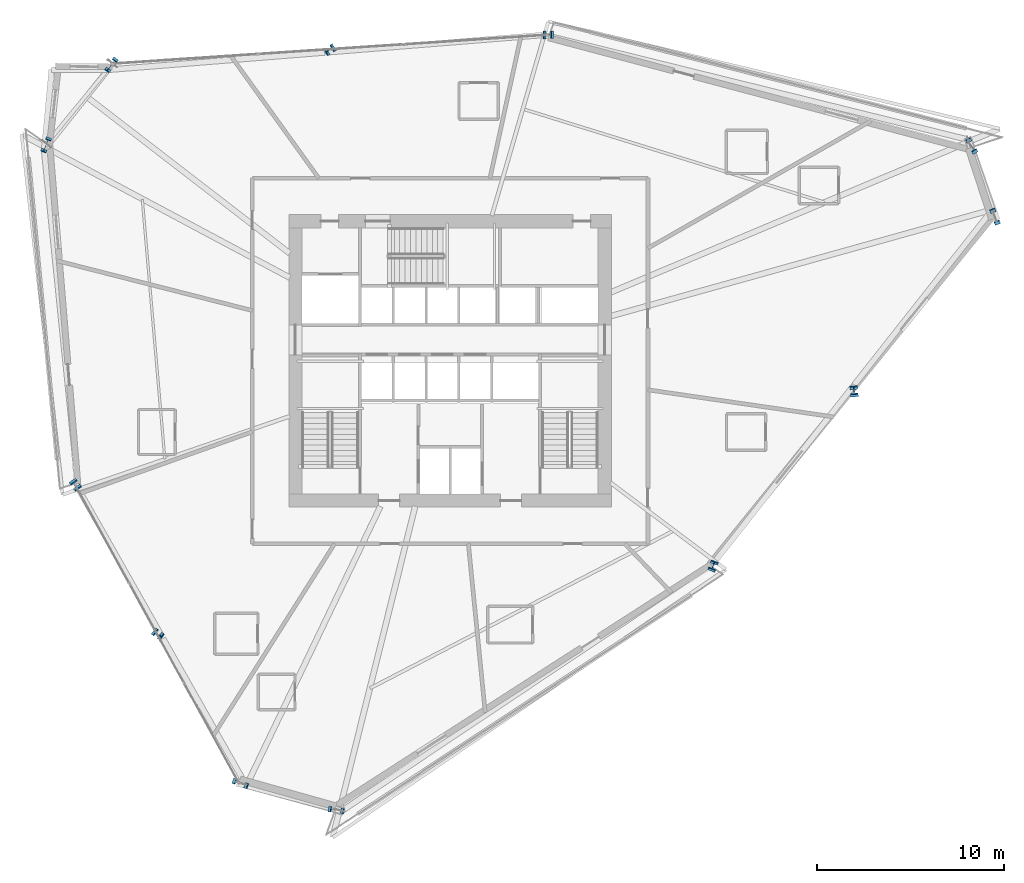
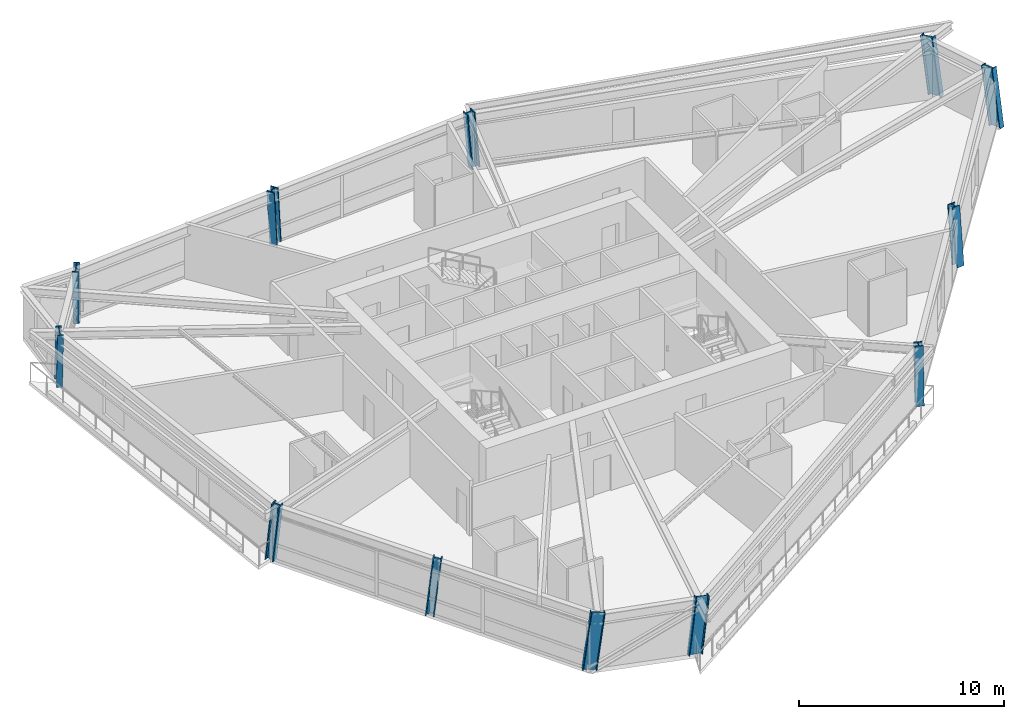
# One storey, part 1 of 21: 12 columns.
"""IFC4 building model written with IfcOpenShell, lengths in metres."""

from ifc_helpers import new_model, si_unit, direction, frame, origin, origin_2d, place, context, subcontext, project, spatial, i_section, extrude, source, transform, mapped, material, material_profile, profile_set, type_object, element, save


model = new_model("IFC4")

# Units and contexts
model_context = context("Model", 3, precision=1e-05, world=origin(), true_north=direction((0.0, 1.0)))
body_context = subcontext(model_context, "Body", "Model", "MODEL_VIEW")
ifc_project = project(units=[si_unit("LENGTHUNIT", "METRE"), si_unit("AREAUNIT", "SQUARE_METRE"), si_unit("VOLUMEUNIT", "CUBIC_METRE"), si_unit("PLANEANGLEUNIT", "RADIAN"), si_unit("MASSUNIT", "GRAM", prefix="KILO")], contexts=[model_context])

# Site, building, storey
site_placement = place(None, origin())
site = spatial("IfcSite", under=ifc_project, at=site_placement, CompositionType="ELEMENT")
building_placement = place(site_placement, origin())
building = spatial("IfcBuilding", under=site, at=building_placement, Name="Olszyna Solenne Hotel", CompositionType="ELEMENT")
storey_placement = place(building_placement, frame((0.0, 0.0, 109.25)))
storey = spatial("IfcBuildingStorey", under=building, at=storey_placement, Name="L28", CompositionType="ELEMENT", Elevation=109.25)

# Columns
ifc_material = material(Name="Steel S460M", Category="steel")
ifc_material_profile_1 = material_profile(ifc_material, i_section(OverallWidth=0.41796875, OverallDepth=0.455078125, WebThickness=0.03759765625, FlangeThickness=0.05908203125, at=origin_2d()), Name="HD 400x551", Category="load-bearing")
ifc_profile_set_1 = profile_set([ifc_material_profile_1], Name="Steel S460M")
column_type_1 = type_object("IfcColumnType", Name="COL-T2", PredefinedType="COLUMN", material=ifc_profile_set_1)
shared_shape_1 = source(origin(), body_context, "Body", "SweptSolid", [
    extrude(i_section(OverallWidth=0.41796875, OverallDepth=0.455078125, WebThickness=0.03759765625, FlangeThickness=0.05908203125, at=origin_2d()), origin(), (0.0, 0.0, 1.0), 3.398193359375),
])
column_1_placement = place(storey_placement, frame((52.00341796875, 15.611328125, 0.0), z_axis=(0.031540088842, 0.081975492868, 0.996135152158), x_axis=(-0.933303436378, 0.359088701639, 0.0)))
element("IfcColumn", 1, at=column_1_placement, inside=storey, type_object=column_type_1, Name="Perimeter framed-tube column COL-T2 C-L28-11", PredefinedType="COLUMN", context=body_context, shape_type="MappedRepresentation", body=[
    mapped(shared_shape_1, transform((0.0, 0.0, 0.0), x_axis=(1.0, 0.0, 0.0), y_axis=(0.0, 1.0, 0.0), z_axis=(0.0, 0.0, 1.0), scale=1.0)),
])
shared_shape_2 = source(origin(), body_context, "Body", "SweptSolid", [
    extrude(i_section(OverallWidth=0.41796875, OverallDepth=0.455078125, WebThickness=0.03759765625, FlangeThickness=0.05908203125, at=origin_2d()), origin(), (0.0, 0.0, 1.0), 3.4052734375),
])
column_2_placement = place(storey_placement, frame((59.547607421875, 24.912841796875, 0.0), z_axis=(-0.009392225398, 0.108333225776, 0.994070268288), x_axis=(-0.99626282193, -0.086373547103, 0.0)))
element("IfcColumn", 2, at=column_2_placement, inside=storey, type_object=column_type_1, Name="Perimeter framed-tube column COL-T2 C-L28-12", PredefinedType="COLUMN", context=body_context, shape_type="MappedRepresentation", body=[
    mapped(shared_shape_2, transform((0.0, 0.0, 0.0), x_axis=(1.0, 0.0, 0.0), y_axis=(0.0, 1.0, 0.0), z_axis=(0.0, 0.0, 1.0), scale=1.0)),
])
ifc_material_profile_2 = material_profile(ifc_material, i_section(OverallWidth=0.303955078125, OverallDepth=0.716064453125, WebThickness=0.02099609375, FlangeThickness=0.0400390625, at=origin_2d()), Name="HEM 700", Category="load-bearing")
ifc_profile_set_2 = profile_set([ifc_material_profile_2], Name="Steel S460M")
column_type_2 = type_object("IfcColumnType", Name="COL-K2", PredefinedType="COLUMN", material=ifc_profile_set_2)
shared_shape_3 = source(origin(), body_context, "Body", "SweptSolid", [
    extrude(i_section(OverallWidth=0.303955078125, OverallDepth=0.716064453125, WebThickness=0.02099609375, FlangeThickness=0.0400390625, at=origin_2d()), origin(), (0.0, 0.0, 1.0), 3.404296875),
])
column_3_placement = place(storey_placement, frame((16.47900390625, 38.188232421875, 0.0), z_axis=(-0.039659803431, -0.098324756788, 0.994363787652), x_axis=(0.927399841512, -0.374071562623, 0.0)))
element("IfcColumn", 3, at=column_3_placement, inside=storey, type_object=column_type_2, Name="Perimeter framed-tube column COL-K2 C-L28-06", PredefinedType="COLUMN", context=body_context, shape_type="MappedRepresentation", body=[
    mapped(shared_shape_3, transform((0.0, 0.0, 0.0), x_axis=(1.0, 0.0, 0.0), y_axis=(0.0, 1.0, 0.0), z_axis=(0.0, 0.0, 1.0), scale=1.0)),
])
shared_shape_4 = source(origin(), body_context, "Body", "SweptSolid", [
    extrude(i_section(OverallWidth=0.303955078125, OverallDepth=0.716064453125, WebThickness=0.02099609375, FlangeThickness=0.0400390625, at=origin_2d()), origin(), (0.0, 0.0, 1.0), 3.4052734375),
])
column_4_placement = place(storey_placement, frame((31.856689453125, 2.656005859375, 0.0), z_axis=(0.107401978094, -0.016561987276, 0.994077721146), x_axis=(0.152404215483, 0.988318245862, 0.0)))
element("IfcColumn", 4, at=column_4_placement, inside=storey, type_object=column_type_2, Name="Perimeter framed-tube column COL-K2 C-L28-10", PredefinedType="COLUMN", context=body_context, shape_type="MappedRepresentation", body=[
    mapped(shared_shape_4, transform((0.0, 0.0, 0.0), x_axis=(1.0, 0.0, 0.0), y_axis=(0.0, 1.0, 0.0), z_axis=(0.0, 0.0, 1.0), scale=1.0)),
])
shared_shape_5 = source(origin(), body_context, "Body", "SweptSolid", [
    extrude(i_section(OverallWidth=0.303955078125, OverallDepth=0.716064453125, WebThickness=0.02099609375, FlangeThickness=0.0400390625, at=origin_2d()), origin(), (0.0, 0.0, 1.0), 3.42041015625),
])
column_5_placement = place(storey_placement, frame((67.091552734375, 34.21435546875, 0.0), z_axis=(-0.050037258281, 0.134265453391, 0.989681292543), x_axis=(-0.937043763109, -0.349211949994, 0.0)))
element("IfcColumn", 5, at=column_5_placement, inside=storey, type_object=column_type_2, Name="Perimeter framed-tube column COL-K2 C-L28-01", PredefinedType="COLUMN", context=body_context, shape_type="MappedRepresentation", body=[
    mapped(shared_shape_5, transform((0.0, 0.0, 0.0), x_axis=(1.0, 0.0, 0.0), y_axis=(0.0, 1.0, 0.0), z_axis=(0.0, 0.0, 1.0), scale=1.0)),
])
shared_shape_6 = source(origin(), body_context, "Body", "SweptSolid", [
    extrude(i_section(OverallWidth=0.303955078125, OverallDepth=0.716064453125, WebThickness=0.02099609375, FlangeThickness=0.0400390625, at=origin_2d()), origin(), (0.0, 0.0, 1.0), 3.416015625),
])
column_6_placement = place(storey_placement, frame((65.8515625, 37.99658203125, 0.0), z_axis=(-0.063752842961, 0.118071408712, 0.990956465976), x_axis=(-0.879923212228, -0.47511592331, 0.0)))
element("IfcColumn", 6, at=column_6_placement, inside=storey, type_object=column_type_2, Name="Perimeter framed-tube column COL-K2 C-L28-02", PredefinedType="COLUMN", context=body_context, shape_type="MappedRepresentation", body=[
    mapped(shared_shape_6, transform((0.0, 0.0, 0.0), x_axis=(1.0, 0.0, 0.0), y_axis=(0.0, 1.0, 0.0), z_axis=(0.0, 0.0, 1.0), scale=1.0)),
])
shared_shape_7 = source(origin(), body_context, "Body", "SweptSolid", [
    extrude(i_section(OverallWidth=0.41796875, OverallDepth=0.455078125, WebThickness=0.03759765625, FlangeThickness=0.05908203125, at=origin_2d()), origin(), (0.0, 0.0, 1.0), 3.399169921875),
])
column_7_placement = place(storey_placement, frame((31.63134765625, 43.22412109375, 0.0), z_axis=(-0.077283730653, -0.04797911903, 0.995854019982), x_axis=(0.527441478949, -0.849591364295, 0.0)))
element("IfcColumn", 7, at=column_7_placement, inside=storey, type_object=column_type_1, Name="Perimeter framed-tube column COL-T2 C-L28-04", PredefinedType="COLUMN", context=body_context, shape_type="MappedRepresentation", body=[
    mapped(shared_shape_7, transform((0.0, 0.0, 0.0), x_axis=(1.0, 0.0, 0.0), y_axis=(0.0, 1.0, 0.0), z_axis=(0.0, 0.0, 1.0), scale=1.0)),
])
shared_shape_8 = source(origin(), body_context, "Body", "SweptSolid", [
    extrude(i_section(OverallWidth=0.303955078125, OverallDepth=0.716064453125, WebThickness=0.02099609375, FlangeThickness=0.0400390625, at=origin_2d()), origin(), (0.0, 0.0, 1.0), 3.408447265625),
])
column_8_placement = place(storey_placement, frame((19.980224609375, 42.451171875, 0.0), z_axis=(-0.069050358735, -0.094407025739, 0.99313612433), x_axis=(0.80714420153, -0.59035433253, 0.0)))
element("IfcColumn", 8, at=column_8_placement, inside=storey, type_object=column_type_2, Name="Perimeter framed-tube column COL-K2 C-L28-05", PredefinedType="COLUMN", context=body_context, shape_type="MappedRepresentation", body=[
    mapped(shared_shape_8, transform((0.0, 0.0, 0.0), x_axis=(1.0, 0.0, 0.0), y_axis=(0.0, 1.0, 0.0), z_axis=(0.0, 0.0, 1.0), scale=1.0)),
])
shared_shape_9 = source(origin(), body_context, "Body", "SweptSolid", [
    extrude(i_section(OverallWidth=0.303955078125, OverallDepth=0.716064453125, WebThickness=0.02099609375, FlangeThickness=0.0400390625, at=origin_2d()), origin(), (0.0, 0.0, 1.0), 3.4111328125),
])
column_9_placement = place(storey_placement, frame((26.7412109375, 4.09375, 0.0), z_axis=(0.11523361604, -0.043874662505, 0.992368997765), x_axis=(0.355826354111, 0.934552088286, 0.0)))
element("IfcColumn", 9, at=column_9_placement, inside=storey, type_object=column_type_2, Name="Perimeter framed-tube column COL-K2 C-L28-09", PredefinedType="COLUMN", context=body_context, shape_type="MappedRepresentation", body=[
    mapped(shared_shape_9, transform((0.0, 0.0, 0.0), x_axis=(1.0, 0.0, 0.0), y_axis=(0.0, 1.0, 0.0), z_axis=(0.0, 0.0, 1.0), scale=1.0)),
])
shared_shape_10 = source(origin(), body_context, "Body", "SweptSolid", [
    extrude(i_section(OverallWidth=0.41796875, OverallDepth=0.455078125, WebThickness=0.03759765625, FlangeThickness=0.05908203125, at=origin_2d()), origin(), (0.0, 0.0, 1.0), 3.3974609375),
])
column_10_placement = place(storey_placement, frame((43.2822265625, 43.9970703125, 0.0), z_axis=(-0.085299167136, -0.001221639293, 0.996354635501), x_axis=(0.014320351133, -0.999897458514, 0.0)))
element("IfcColumn", 10, at=column_10_placement, inside=storey, type_object=column_type_1, Name="Perimeter framed-tube column COL-T2 C-L28-03", PredefinedType="COLUMN", context=body_context, shape_type="MappedRepresentation", body=[
    mapped(shared_shape_10, transform((0.0, 0.0, 0.0), x_axis=(1.0, 0.0, 0.0), y_axis=(0.0, 1.0, 0.0), z_axis=(0.0, 0.0, 1.0), scale=1.0)),
])
shared_shape_11 = source(origin(), body_context, "Body", "SweptSolid", [
    extrude(i_section(OverallWidth=0.41796875, OverallDepth=0.455078125, WebThickness=0.03759765625, FlangeThickness=0.05908203125, at=origin_2d()), origin(), (0.0, 0.0, 1.0), 3.402587890625),
])
column_11_placement = place(storey_placement, frame((17.97998046875, 20.04833984375, 0.0), z_axis=(0.057259482904, -0.083449597264, 0.994865577017), x_axis=(0.824558750738, 0.565776339715, 0.0)))
element("IfcColumn", 11, at=column_11_placement, inside=storey, type_object=column_type_1, Name="Perimeter framed-tube column COL-T2 C-L28-07", PredefinedType="COLUMN", context=body_context, shape_type="MappedRepresentation", body=[
    mapped(shared_shape_11, transform((0.0, 0.0, 0.0), x_axis=(1.0, 0.0, 0.0), y_axis=(0.0, 1.0, 0.0), z_axis=(0.0, 0.0, 1.0), scale=1.0)),
])
shared_shape_12 = source(origin(), body_context, "Body", "SweptSolid", [
    extrude(i_section(OverallWidth=0.41796875, OverallDepth=0.455078125, WebThickness=0.03759765625, FlangeThickness=0.05908203125, at=origin_2d()), origin(), (0.0, 0.0, 1.0), 3.404541015625),
])
column_12_placement = place(storey_placement, frame((22.360595703125, 12.071044921875, 0.0), z_axis=(0.086336223989, -0.063676550583, 0.994229024588), x_axis=(0.593563792258, 0.804786943557, 0.0)))
element("IfcColumn", 12, at=column_12_placement, inside=storey, type_object=column_type_1, Name="Perimeter framed-tube column COL-T2 C-L28-08", PredefinedType="COLUMN", context=body_context, shape_type="MappedRepresentation", body=[
    mapped(shared_shape_12, transform((0.0, 0.0, 0.0), x_axis=(1.0, 0.0, 0.0), y_axis=(0.0, 1.0, 0.0), z_axis=(0.0, 0.0, 1.0), scale=1.0)),
])

save(model, "model.ifc")
